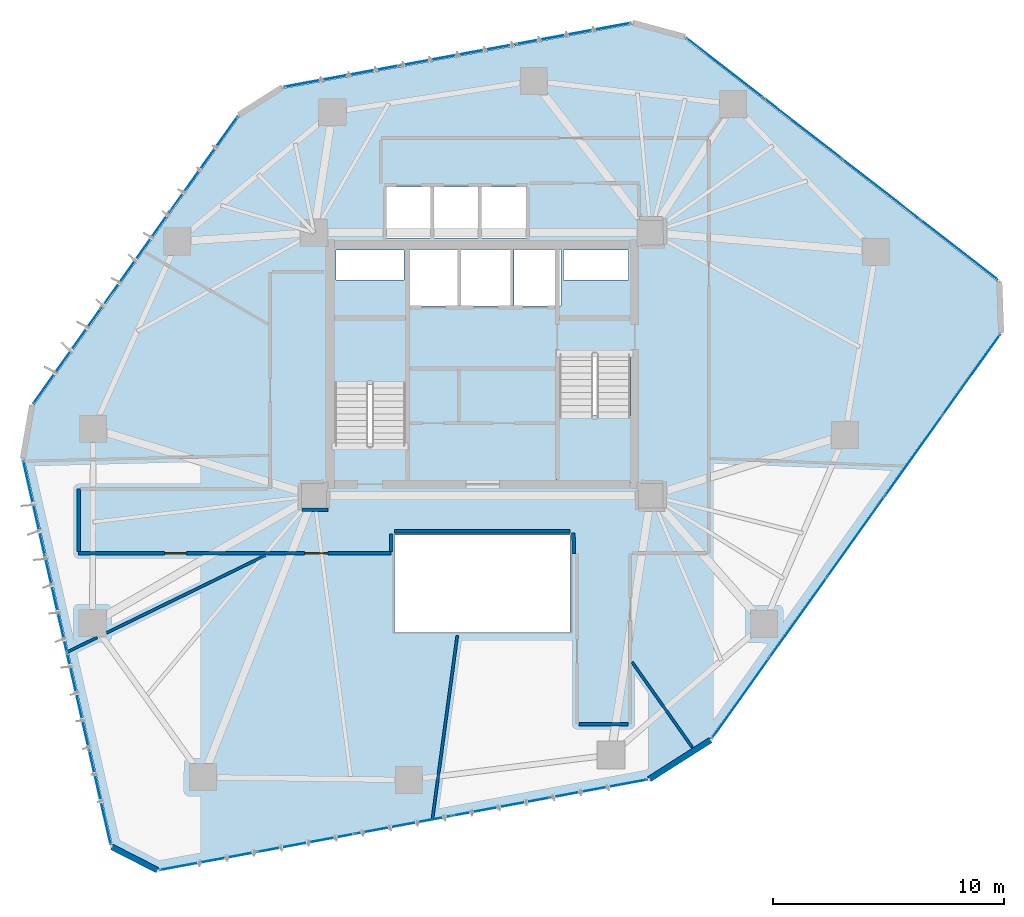
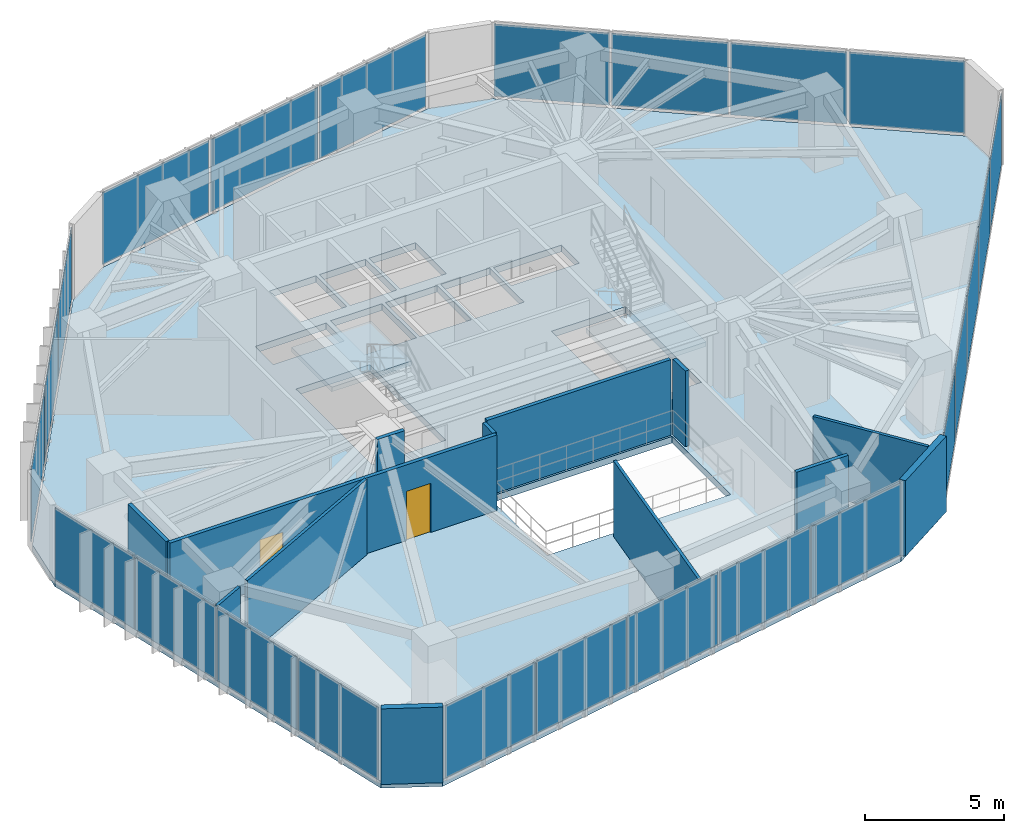
# One storey, part 16 of 22: 24 plates, 13 walls, 3 slabs, 2 doors, 2 openings, 8 elements without a shape of their own.
"""IFC4 building model written with IfcOpenShell, lengths in metres."""

from ifc_helpers import new_model, si_unit, direction, frame, frame_2d, origin, origin_2d, place, context, subcontext, project, spatial, polyline, rectangle, outline, extrude, source, transform, mapped, material, layer, layer_set, type_object, type_shapes, element, fill, aggregate, save


model = new_model("IFC4")

# Units and contexts
model_context = context("Model", 3, precision=1e-05, world=origin(), true_north=direction((0.0, 1.0)))
body_context = subcontext(model_context, "Body", "Model", "MODEL_VIEW")
ifc_project = project(units=[si_unit("LENGTHUNIT", "METRE"), si_unit("AREAUNIT", "SQUARE_METRE"), si_unit("VOLUMEUNIT", "CUBIC_METRE"), si_unit("PLANEANGLEUNIT", "RADIAN"), si_unit("MASSUNIT", "GRAM", prefix="KILO")], contexts=[model_context])

# Site, building, storey
site_placement = place(None, origin())
site = spatial("IfcSite", under=ifc_project, at=site_placement, CompositionType="ELEMENT")
building_placement = place(site_placement, origin())
building = spatial("IfcBuilding", under=site, at=building_placement, Name="Talar Marvaseh", CompositionType="ELEMENT")
storey_placement = place(building_placement, frame((0.0, 0.0, 121.800048828125)))
storey = spatial("IfcBuildingStorey", under=building, at=storey_placement, Name="L31", CompositionType="ELEMENT", Elevation=121.800048828125)

# Stair, slab
ifc_material_1 = material(Name="Concrete C40/50", Category="concrete")
stair_type = type_object("IfcStairType", Name="Reinforced Concrete Half-Turn Exit Stair Type B", PredefinedType="HALF_TURN_STAIR", material=ifc_material_1)
stair_1_placement = place(storey_placement, origin())
stair_1 = element("IfcStair", 1, at=stair_1_placement, inside=storey, type_object=stair_type, Name="L31 Tower West Core Exit Stair", PredefinedType="HALF_TURN_STAIR")
ifc_layer_1 = layer(ifc_material_1, 0.199951171875)
ifc_layer_set_1 = layer_set([ifc_layer_1], Name="Concrete C40/50")
slab_type_1 = type_object("IfcSlabType", Name="Reinforced Concrete Stair Half-Landing Slab 200", PredefinedType="LANDING", material=ifc_layer_set_1)
slab_1_placement = place(storey_placement, frame((0.0, 0.0, 1.599853515625)))
slab_1 = element("IfcSlab", 2, at=slab_1_placement, type_object=slab_type_1, Name="ST-1 landing 1", PredefinedType="LANDING", context=body_context, shape_type="SweptSolid", body=[
    extrude(outline(polyline([(22.780029296875, 30.330078125), (22.780029296875, 33.219970703125), (19.47998046875, 33.219970703125), (19.47998046875, 30.330078125), (22.780029296875, 30.330078125)])), origin(), (0.0, 0.0, 1.0), 0.2001953125),
])
aggregate(stair_1, [slab_1])

stair_2_placement = place(storey_placement, origin())
stair_2 = element("IfcStair", 3, at=stair_2_placement, inside=storey, type_object=stair_type, Name="L31 Tower East Core Exit Stair", PredefinedType="HALF_TURN_STAIR")
slab_2_placement = place(storey_placement, frame((0.0, 0.0, 1.599853515625)))
slab_2 = element("IfcSlab", 4, at=slab_2_placement, type_object=slab_type_1, Name="ST-2 landing 1", PredefinedType="LANDING", context=body_context, shape_type="SweptSolid", body=[
    extrude(outline(polyline([(29.219970703125, 28.969970703125), (29.219970703125, 26.080078125), (32.52001953125, 26.080078125), (32.52001953125, 28.969970703125), (29.219970703125, 28.969970703125)])), origin(), (0.0, 0.0, 1.0), 0.2001953125),
])
aggregate(stair_2, [slab_2])

# Slab
ifc_layer_2 = layer(ifc_material_1, 0.2900390625)
ifc_layer_set_2 = layer_set([ifc_layer_2], Name="Concrete C40/50")
slab_type_2 = type_object("IfcSlabType", Name="Structural Suspended Floor Slab 290", PredefinedType="FLOOR", material=ifc_layer_set_2)
slab_3_placement = place(storey_placement, frame((0.0, 0.0, -0.2900390625)))
element("IfcSlab", 5, at=slab_3_placement, inside=storey, type_object=slab_type_2, Name="L31 Tower Floor Slab", PredefinedType="FLOOR", context=body_context, shape_type="SweptSolid", body=[
    extrude(outline(polyline([(11.941650390625, 9.324462890625), (9.968017578125, 10.333251953125), (6.145751953125, 27.094482421875), (6.547119140625, 29.400634765625), (15.46923828125, 41.940673828125), (17.36279296875, 43.14697265625), (32.49853515625, 45.93359375), (34.75830078125, 45.32275390625), (48.333740234375, 34.77490234375), (48.4140625, 32.559814453125), (35.85791015625, 14.96240234375), (33.19677734375, 13.26708984375), (11.941650390625, 9.324462890625)]), holes=[polyline([(22.659912109375, 27.64990234375), (22.659912109375, 33.10009765625), (19.60009765625, 33.10009765625), (19.60009765625, 27.64990234375), (22.659912109375, 27.64990234375)]), polyline([(29.340087890625, 31.64990234375), (29.340087890625, 26.199951171875), (32.39990234375, 26.199951171875), (32.39990234375, 31.64990234375), (29.340087890625, 31.64990234375)]), polyline([(22.800048828125, 33.719970703125), (24.93994140625, 33.719970703125), (24.93994140625, 36.179931640625), (22.800048828125, 36.179931640625), (22.800048828125, 33.719970703125)]), polyline([(25.080078125, 33.719970703125), (27.219970703125, 33.719970703125), (27.219970703125, 36.179931640625), (25.080078125, 36.179931640625), (25.080078125, 33.719970703125)]), polyline([(27.360107421875, 33.719970703125), (29.39990234375, 33.719970703125), (29.39990234375, 36.179931640625), (27.360107421875, 36.179931640625), (27.360107421875, 33.719970703125)]), polyline([(21.840087890625, 36.659912109375), (23.760009765625, 36.659912109375), (23.760009765625, 38.8798828125), (21.840087890625, 38.8798828125), (21.840087890625, 36.659912109375)]), polyline([(23.89990234375, 36.659912109375), (25.820068359375, 36.659912109375), (25.820068359375, 38.8798828125), (23.89990234375, 38.8798828125), (23.89990234375, 36.659912109375)]), polyline([(25.9599609375, 36.659912109375), (27.8798828125, 36.659912109375), (27.8798828125, 38.8798828125), (25.9599609375, 38.8798828125), (25.9599609375, 36.659912109375)]), polyline([(19.659912109375, 34.840087890625), (22.60009765625, 34.840087890625), (22.60009765625, 36.139892578125), (19.659912109375, 36.139892578125), (19.659912109375, 34.840087890625)]), polyline([(29.52001953125, 34.840087890625), (32.340087890625, 34.840087890625), (32.340087890625, 36.139892578125), (29.52001953125, 36.139892578125), (29.52001953125, 34.840087890625)]), polyline([(22.199951171875, 19.60009765625), (29.800048828125, 19.60009765625), (29.800048828125, 23.800048828125), (22.199951171875, 23.800048828125), (22.199951171875, 19.60009765625)])]), origin(), (0.0, 0.0, 1.0), 0.2900390625),
])

# Curtain wall, plates
ifc_material_2 = material(Name="Architectural Aluminium", Category="aluminium")
ifc_layer_3 = layer(ifc_material_2, 0.199951171875)
ifc_layer_set_3 = layer_set([ifc_layer_3], Name="Architectural Aluminium")
curtain_wall_type = type_object("IfcCurtainWallType", Name="Unitised Acoustic Library Curtain Wall Z2", PredefinedType="NOTDEFINED", material=ifc_layer_set_3)
curtain_wall_1_placement = place(storey_placement, origin())
curtain_wall_1 = element("IfcCurtainWall", 6, at=curtain_wall_1_placement, inside=storey, type_object=curtain_wall_type, Name="L31 Unitised Acoustic Library Curtain Wall Z2", PredefinedType="NOTDEFINED")
ifc_material_3 = material(Name="Laminated Low-E Solar Glass", Category="glass")
ifc_layer_4 = layer(ifc_material_3, 0.028076171875)
ifc_layer_set_4 = layer_set([ifc_layer_4], Name="Laminated Low-E Solar Glass")
plate_type = type_object("IfcPlateType", Name="Double-Glazed Low-E Vision Curtain Panel 28", PredefinedType="CURTAIN_PANEL", material=ifc_layer_set_4)
shared_shape_1 = source(origin(), body_context, "Body", "SweptSolid", [
    extrude(rectangle(XDim=4.185302734375, YDim=0.028076171875, at=origin_2d()), origin(), (0.0, 0.0, 1.0), 3.159912109375),
])
plate_1_placement = place(storey_placement, frame((9.427490234375, 12.433349609375, 0.0751953125), z_axis=(0.0, 0.0, 1.0), x_axis=(-0.222335309848, 0.974970261082, 0.0)))
plate_1 = element("IfcPlate", 7, at=plate_1_placement, type_object=plate_type, Name="CW-Z2 panel 1.1", PredefinedType="CURTAIN_PANEL", context=body_context, shape_type="MappedRepresentation", body=[
    mapped(shared_shape_1, transform((0.0, 0.0, 0.0), x_axis=(1.0, 0.0, 0.0), y_axis=(0.0, 1.0, 0.0), z_axis=(0.0, 0.0, 1.0), scale=1.0)),
])
plate_2_placement = place(storey_placement, frame((6.569091796875, 24.9677734375, 0.0751953125), z_axis=(0.0, 0.0, 1.0), x_axis=(-0.222335309848, 0.974970261082, 0.0)))
plate_2 = element("IfcPlate", 8, at=plate_2_placement, type_object=plate_type, Name="CW-Z2 panel 4.1", PredefinedType="CURTAIN_PANEL", context=body_context, shape_type="MappedRepresentation", body=[
    mapped(shared_shape_1, transform((0.0, 0.0, 0.0), x_axis=(1.0, 0.0, 0.0), y_axis=(0.0, 1.0, 0.0), z_axis=(0.0, 0.0, 1.0), scale=1.0)),
])

curtain_wall_2_placement = place(storey_placement, origin())
curtain_wall_2 = element("IfcCurtainWall", 9, at=curtain_wall_2_placement, inside=storey, type_object=curtain_wall_type, Name="L31 Unitised Acoustic Library Curtain Wall Z2", PredefinedType="NOTDEFINED")
plate_3_placement = place(storey_placement, frame((36.5068359375, 44.040283203125, 0.0751953125), z_axis=(0.0, 0.0, 1.0), x_axis=(0.789660005943, -0.613544680537, 0.0)))
plate_3 = element("IfcPlate", 10, at=plate_3_placement, type_object=plate_type, Name="CW-Z2 panel 1.1", PredefinedType="CURTAIN_PANEL", context=body_context, shape_type="MappedRepresentation", body=[
    mapped(shared_shape_1, transform((0.0, 0.0, 0.0), x_axis=(1.0, 0.0, 0.0), y_axis=(0.0, 1.0, 0.0), z_axis=(0.0, 0.0, 1.0), scale=1.0)),
])
plate_4_placement = place(storey_placement, frame((46.65869140625, 36.15234375, 0.0751953125), z_axis=(0.0, 0.0, 1.0), x_axis=(0.789660005943, -0.613544680537, 0.0)))
plate_4 = element("IfcPlate", 11, at=plate_4_placement, type_object=plate_type, Name="CW-Z2 panel 4.1", PredefinedType="CURTAIN_PANEL", context=body_context, shape_type="MappedRepresentation", body=[
    mapped(shared_shape_1, transform((0.0, 0.0, 0.0), x_axis=(1.0, 0.0, 0.0), y_axis=(0.0, 1.0, 0.0), z_axis=(0.0, 0.0, 1.0), scale=1.0)),
])

# Plate
shared_shape_2 = source(origin(), body_context, "Body", "SweptSolid", [
    extrude(rectangle(XDim=4.222900390625, YDim=0.028076171875, at=origin_2d()), origin(), (0.0, 0.0, 1.0), 3.159912109375),
])
plate_5_placement = place(storey_placement, frame((8.47607421875, 16.60546875, 0.0751953125), z_axis=(0.0, 0.0, 1.0), x_axis=(-0.222335309848, 0.974970261082, 0.0)))
plate_5 = element("IfcPlate", 12, at=plate_5_placement, type_object=plate_type, Name="CW-Z2 panel 2.1", PredefinedType="CURTAIN_PANEL", context=body_context, shape_type="MappedRepresentation", body=[
    mapped(shared_shape_2, transform((0.0, 0.0, 0.0), x_axis=(1.0, 0.0, 0.0), y_axis=(0.0, 1.0, 0.0), z_axis=(0.0, 0.0, 1.0), scale=1.0)),
])

plate_6_placement = place(storey_placement, frame((7.5205078125, 20.7958984375, 0.0751953125), z_axis=(0.0, 0.0, 1.0), x_axis=(-0.222335309848, 0.974970261082, 0.0)))
plate_6 = element("IfcPlate", 13, at=plate_6_placement, type_object=plate_type, Name="CW-Z2 panel 3.1", PredefinedType="CURTAIN_PANEL", context=body_context, shape_type="MappedRepresentation", body=[
    mapped(shared_shape_2, transform((0.0, 0.0, 0.0), x_axis=(1.0, 0.0, 0.0), y_axis=(0.0, 1.0, 0.0), z_axis=(0.0, 0.0, 1.0), scale=1.0)),
])

aggregate(curtain_wall_1, [plate_1, plate_5, plate_6, plate_2])

plate_7_placement = place(storey_placement, frame((39.8857421875, 41.414794921875, 0.0751953125), z_axis=(0.0, 0.0, 1.0), x_axis=(0.789660005943, -0.613544680537, 0.0)))
plate_7 = element("IfcPlate", 14, at=plate_7_placement, type_object=plate_type, Name="CW-Z2 panel 2.1", PredefinedType="CURTAIN_PANEL", context=body_context, shape_type="MappedRepresentation", body=[
    mapped(shared_shape_2, transform((0.0, 0.0, 0.0), x_axis=(1.0, 0.0, 0.0), y_axis=(0.0, 1.0, 0.0), z_axis=(0.0, 0.0, 1.0), scale=1.0)),
])

plate_8_placement = place(storey_placement, frame((43.27978515625, 38.77783203125, 0.0751953125), z_axis=(0.0, 0.0, 1.0), x_axis=(0.789660005943, -0.613544680537, 0.0)))
plate_8 = element("IfcPlate", 15, at=plate_8_placement, type_object=plate_type, Name="CW-Z2 panel 3.1", PredefinedType="CURTAIN_PANEL", context=body_context, shape_type="MappedRepresentation", body=[
    mapped(shared_shape_2, transform((0.0, 0.0, 0.0), x_axis=(1.0, 0.0, 0.0), y_axis=(0.0, 1.0, 0.0), z_axis=(0.0, 0.0, 1.0), scale=1.0)),
])

aggregate(curtain_wall_2, [plate_3, plate_7, plate_8, plate_4])

# Curtain wall, plates
curtain_wall_3_placement = place(storey_placement, origin())
curtain_wall_3 = element("IfcCurtainWall", 16, at=curtain_wall_3_placement, inside=storey, type_object=curtain_wall_type, Name="L31 Unitised Acoustic Library Curtain Wall Z2", PredefinedType="NOTDEFINED")
shared_shape_3 = source(origin(), body_context, "Body", "SweptSolid", [
    extrude(rectangle(XDim=5.017578125, YDim=0.028076171875, at=origin_2d()), origin(), (0.0, 0.0, 1.0), 3.159912109375),
])
plate_9_placement = place(storey_placement, frame((7.99609375, 31.540771484375, 0.0751953125), z_axis=(0.0, 0.0, 1.0), x_axis=(0.579736854112, 0.814803767778, 0.0)))
plate_9 = element("IfcPlate", 17, at=plate_9_placement, type_object=plate_type, Name="CW-Z2 panel 1.1", PredefinedType="CURTAIN_PANEL", context=body_context, shape_type="MappedRepresentation", body=[
    mapped(shared_shape_3, transform((0.0, 0.0, 0.0), x_axis=(1.0, 0.0, 0.0), y_axis=(0.0, 1.0, 0.0), z_axis=(0.0, 0.0, 1.0), scale=1.0)),
])
plate_10_placement = place(storey_placement, frame((13.922607421875, 39.8701171875, 0.0751953125), z_axis=(0.0, 0.0, 1.0), x_axis=(0.579736854112, 0.814803767778, 0.0)))
plate_10 = element("IfcPlate", 18, at=plate_10_placement, type_object=plate_type, Name="CW-Z2 panel 3.1", PredefinedType="CURTAIN_PANEL", context=body_context, shape_type="MappedRepresentation", body=[
    mapped(shared_shape_3, transform((0.0, 0.0, 0.0), x_axis=(1.0, 0.0, 0.0), y_axis=(0.0, 1.0, 0.0), z_axis=(0.0, 0.0, 1.0), scale=1.0)),
])

curtain_wall_4_placement = place(storey_placement, origin())
curtain_wall_4 = element("IfcCurtainWall", 19, at=curtain_wall_4_placement, inside=storey, type_object=curtain_wall_type, Name="L31 Unitised Acoustic Library Curtain Wall Z2", PredefinedType="NOTDEFINED")
plate_11_placement = place(storey_placement, frame((19.89306640625, 43.673828125, 0.0751953125), z_axis=(0.0, 0.0, 1.0), x_axis=(0.983470031313, 0.181070973681, 0.0)))
plate_11 = element("IfcPlate", 20, at=plate_11_placement, type_object=plate_type, Name="CW-Z2 panel 1.1", PredefinedType="CURTAIN_PANEL", context=body_context, shape_type="MappedRepresentation", body=[
    mapped(shared_shape_3, transform((0.0, 0.0, 0.0), x_axis=(1.0, 0.0, 0.0), y_axis=(0.0, 1.0, 0.0), z_axis=(0.0, 0.0, 1.0), scale=1.0)),
])
plate_12_placement = place(storey_placement, frame((29.946533203125, 45.524658203125, 0.0751953125), z_axis=(0.0, 0.0, 1.0), x_axis=(0.983470031313, 0.181070973681, 0.0)))
plate_12 = element("IfcPlate", 21, at=plate_12_placement, type_object=plate_type, Name="CW-Z2 panel 3.1", PredefinedType="CURTAIN_PANEL", context=body_context, shape_type="MappedRepresentation", body=[
    mapped(shared_shape_3, transform((0.0, 0.0, 0.0), x_axis=(1.0, 0.0, 0.0), y_axis=(0.0, 1.0, 0.0), z_axis=(0.0, 0.0, 1.0), scale=1.0)),
])

# Plate
shared_shape_4 = source(origin(), body_context, "Body", "SweptSolid", [
    extrude(rectangle(XDim=5.054931640625, YDim=0.028076171875, at=origin_2d()), origin(), (0.0, 0.0, 1.0), 3.159912109375),
])
plate_13_placement = place(storey_placement, frame((10.959228515625, 35.70556640625, 0.0751953125), z_axis=(0.0, 0.0, 1.0), x_axis=(0.579736854112, 0.814803767778, 0.0)))
plate_13 = element("IfcPlate", 22, at=plate_13_placement, type_object=plate_type, Name="CW-Z2 panel 2.1", PredefinedType="CURTAIN_PANEL", context=body_context, shape_type="MappedRepresentation", body=[
    mapped(shared_shape_4, transform((0.0, 0.0, 0.0), x_axis=(1.0, 0.0, 0.0), y_axis=(0.0, 1.0, 0.0), z_axis=(0.0, 0.0, 1.0), scale=1.0)),
])

aggregate(curtain_wall_3, [plate_9, plate_13, plate_10])

plate_14_placement = place(storey_placement, frame((24.919677734375, 44.599365234375, 0.0751953125), z_axis=(0.0, 0.0, 1.0), x_axis=(0.983470031313, 0.181070973681, 0.0)))
plate_14 = element("IfcPlate", 23, at=plate_14_placement, type_object=plate_type, Name="CW-Z2 panel 2.1", PredefinedType="CURTAIN_PANEL", context=body_context, shape_type="MappedRepresentation", body=[
    mapped(shared_shape_4, transform((0.0, 0.0, 0.0), x_axis=(1.0, 0.0, 0.0), y_axis=(0.0, 1.0, 0.0), z_axis=(0.0, 0.0, 1.0), scale=1.0)),
])

aggregate(curtain_wall_4, [plate_11, plate_14, plate_12])

# Curtain wall, plates
curtain_wall_5_placement = place(storey_placement, origin())
curtain_wall_5 = element("IfcCurtainWall", 24, at=curtain_wall_5_placement, inside=storey, type_object=curtain_wall_type, Name="L31 Unitised Acoustic Library Curtain Wall Z2", PredefinedType="NOTDEFINED")
shared_shape_5 = source(origin(), body_context, "Body", "SweptSolid", [
    extrude(rectangle(XDim=4.2109375, YDim=0.028076171875, at=origin_2d()), origin(), (0.0, 0.0, 1.0), 3.159912109375),
])
plate_15_placement = place(storey_placement, frame((47.1962890625, 30.75, 0.0751953125), z_axis=(0.0, 0.0, 1.0), x_axis=(-0.580828546551, -0.814025920663, 0.0)))
plate_15 = element("IfcPlate", 25, at=plate_15_placement, type_object=plate_type, Name="CW-Z2 panel 1.1", PredefinedType="CURTAIN_PANEL", context=body_context, shape_type="MappedRepresentation", body=[
    mapped(shared_shape_5, transform((0.0, 0.0, 0.0), x_axis=(1.0, 0.0, 0.0), y_axis=(0.0, 1.0, 0.0), z_axis=(0.0, 0.0, 1.0), scale=1.0)),
])
plate_16_placement = place(storey_placement, frame((37.173095703125, 16.70263671875, 0.0751953125), z_axis=(0.0, 0.0, 1.0), x_axis=(-0.580828546551, -0.814025920663, 0.0)))
plate_16 = element("IfcPlate", 26, at=plate_16_placement, type_object=plate_type, Name="CW-Z2 panel 5.1", PredefinedType="CURTAIN_PANEL", context=body_context, shape_type="MappedRepresentation", body=[
    mapped(shared_shape_5, transform((0.0, 0.0, 0.0), x_axis=(1.0, 0.0, 0.0), y_axis=(0.0, 1.0, 0.0), z_axis=(0.0, 0.0, 1.0), scale=1.0)),
])

curtain_wall_6_placement = place(storey_placement, origin())
curtain_wall_6 = element("IfcCurtainWall", 27, at=curtain_wall_6_placement, inside=storey, type_object=curtain_wall_type, Name="L31 Unitised Acoustic Library Curtain Wall Z2", PredefinedType="NOTDEFINED")
plate_17_placement = place(storey_placement, frame((31.063720703125, 12.810546875, 0.0751953125), z_axis=(0.0, 0.0, 1.0), x_axis=(-0.983226559586, -0.18238841116, 0.0)))
plate_17 = element("IfcPlate", 28, at=plate_17_placement, type_object=plate_type, Name="CW-Z2 panel 1.1", PredefinedType="CURTAIN_PANEL", context=body_context, shape_type="MappedRepresentation", body=[
    mapped(shared_shape_5, transform((0.0, 0.0, 0.0), x_axis=(1.0, 0.0, 0.0), y_axis=(0.0, 1.0, 0.0), z_axis=(0.0, 0.0, 1.0), scale=1.0)),
])
plate_18_placement = place(storey_placement, frame((14.096435546875, 9.6630859375, 0.0751953125), z_axis=(0.0, 0.0, 1.0), x_axis=(-0.983226559586, -0.18238841116, 0.0)))
plate_18 = element("IfcPlate", 29, at=plate_18_placement, type_object=plate_type, Name="CW-Z2 panel 5.1", PredefinedType="CURTAIN_PANEL", context=body_context, shape_type="MappedRepresentation", body=[
    mapped(shared_shape_5, transform((0.0, 0.0, 0.0), x_axis=(1.0, 0.0, 0.0), y_axis=(0.0, 1.0, 0.0), z_axis=(0.0, 0.0, 1.0), scale=1.0)),
])

# Plate
shared_shape_6 = source(origin(), body_context, "Body", "SweptSolid", [
    extrude(rectangle(XDim=4.24853515625, YDim=0.028076171875, at=origin_2d()), origin(), (0.0, 0.0, 1.0), 3.159912109375),
])
type_shapes(plate_type, [shared_shape_1, shared_shape_2, shared_shape_3, shared_shape_4, shared_shape_5, shared_shape_6])
plate_19_placement = place(storey_placement, frame((44.696044921875, 27.245849609375, 0.0751953125), z_axis=(0.0, 0.0, 1.0), x_axis=(-0.580828546551, -0.814025920663, 0.0)))
plate_19 = element("IfcPlate", 30, at=plate_19_placement, type_object=plate_type, Name="CW-Z2 panel 2.1", PredefinedType="CURTAIN_PANEL", context=body_context, shape_type="MappedRepresentation", body=[
    mapped(shared_shape_6, transform((0.0, 0.0, 0.0), x_axis=(1.0, 0.0, 0.0), y_axis=(0.0, 1.0, 0.0), z_axis=(0.0, 0.0, 1.0), scale=1.0)),
])

plate_20_placement = place(storey_placement, frame((42.184814453125, 23.726318359375, 0.0751953125), z_axis=(0.0, 0.0, 1.0), x_axis=(-0.580828546551, -0.814025920663, 0.0)))
plate_20 = element("IfcPlate", 31, at=plate_20_placement, type_object=plate_type, Name="CW-Z2 panel 3.1", PredefinedType="CURTAIN_PANEL", context=body_context, shape_type="MappedRepresentation", body=[
    mapped(shared_shape_6, transform((0.0, 0.0, 0.0), x_axis=(1.0, 0.0, 0.0), y_axis=(0.0, 1.0, 0.0), z_axis=(0.0, 0.0, 1.0), scale=1.0)),
])

plate_21_placement = place(storey_placement, frame((39.67333984375, 20.20703125, 0.0751953125), z_axis=(0.0, 0.0, 1.0), x_axis=(-0.580828546551, -0.814025920663, 0.0)))
plate_21 = element("IfcPlate", 32, at=plate_21_placement, type_object=plate_type, Name="CW-Z2 panel 4.1", PredefinedType="CURTAIN_PANEL", context=body_context, shape_type="MappedRepresentation", body=[
    mapped(shared_shape_6, transform((0.0, 0.0, 0.0), x_axis=(1.0, 0.0, 0.0), y_axis=(0.0, 1.0, 0.0), z_axis=(0.0, 0.0, 1.0), scale=1.0)),
])

aggregate(curtain_wall_5, [plate_15, plate_19, plate_20, plate_21, plate_16])

plate_22_placement = place(storey_placement, frame((26.8310546875, 12.025390625, 0.0751953125), z_axis=(0.0, 0.0, 1.0), x_axis=(-0.983226559586, -0.18238841116, 0.0)))
plate_22 = element("IfcPlate", 33, at=plate_22_placement, type_object=plate_type, Name="CW-Z2 panel 2.1", PredefinedType="CURTAIN_PANEL", context=body_context, shape_type="MappedRepresentation", body=[
    mapped(shared_shape_6, transform((0.0, 0.0, 0.0), x_axis=(1.0, 0.0, 0.0), y_axis=(0.0, 1.0, 0.0), z_axis=(0.0, 0.0, 1.0), scale=1.0)),
])

plate_23_placement = place(storey_placement, frame((22.580078125, 11.23681640625, 0.0751953125), z_axis=(0.0, 0.0, 1.0), x_axis=(-0.983226559586, -0.18238841116, 0.0)))
plate_23 = element("IfcPlate", 34, at=plate_23_placement, type_object=plate_type, Name="CW-Z2 panel 3.1", PredefinedType="CURTAIN_PANEL", context=body_context, shape_type="MappedRepresentation", body=[
    mapped(shared_shape_6, transform((0.0, 0.0, 0.0), x_axis=(1.0, 0.0, 0.0), y_axis=(0.0, 1.0, 0.0), z_axis=(0.0, 0.0, 1.0), scale=1.0)),
])

plate_24_placement = place(storey_placement, frame((18.3291015625, 10.4482421875, 0.0751953125), z_axis=(0.0, 0.0, 1.0), x_axis=(-0.983226559586, -0.18238841116, 0.0)))
plate_24 = element("IfcPlate", 35, at=plate_24_placement, type_object=plate_type, Name="CW-Z2 panel 4.1", PredefinedType="CURTAIN_PANEL", context=body_context, shape_type="MappedRepresentation", body=[
    mapped(shared_shape_6, transform((0.0, 0.0, 0.0), x_axis=(1.0, 0.0, 0.0), y_axis=(0.0, 1.0, 0.0), z_axis=(0.0, 0.0, 1.0), scale=1.0)),
])

aggregate(curtain_wall_6, [plate_17, plate_22, plate_23, plate_24, plate_18])

# Walls
ifc_material_4 = material(Name="Precast concrete C45/55", Category="concrete")
ifc_layer_5 = layer(ifc_material_4, 0.2548828125)
ifc_layer_set_5 = layer_set([ifc_layer_5], Name="Precast concrete C45/55")
wall_type_1 = type_object("IfcWallType", Name="Chamfered Hexagonal Corner Pier Wall Z2 255", PredefinedType="SOLIDWALL", material=ifc_layer_set_5)
wall_1_placement = place(storey_placement, frame((11.914306640625, 9.27099609375, 0.0), z_axis=(0.0, 0.0, 1.0), x_axis=(-0.890426746661, 0.455126585502, 0.0)))
element("IfcWall", 36, at=wall_1_placement, inside=storey, type_object=wall_type_1, Name="L31 Chamfered Corner Limestone Pier 1", PredefinedType="SOLIDWALL", context=body_context, shape_type="SweptSolid", body=[
    extrude(rectangle(XDim=2.216552734375, YDim=0.2548828125, at=frame_2d((1.1083984375, 0.0))), origin(), (0.0, 0.0, 1.0), 3.31005859375),
])
wall_2_placement = place(storey_placement, frame((35.889892578125, 14.911865234375, 0.0), z_axis=(0.0, 0.0, 1.0), x_axis=(-0.843371414947, -0.537331049215, 0.0)))
element("IfcWall", 37, at=wall_2_placement, inside=storey, type_object=wall_type_1, Name="L31 Chamfered Corner Limestone Pier 6", PredefinedType="SOLIDWALL", context=body_context, shape_type="SweptSolid", body=[
    extrude(rectangle(XDim=3.155029296875, YDim=0.2548828125, at=frame_2d((1.57763671875, 0.0))), origin(), (0.0, 0.0, 1.0), 3.31005859375),
])

# Wall, openings, doors
ifc_material_5 = material(Name="Gypsum Board Partition Assembly")
ifc_layer_6 = layer(ifc_material_5, 0.155029296875)
ifc_layer_set_6 = layer_set([ifc_layer_6], Name="Gypsum Board Partition Assembly")
wall_type_2 = type_object("IfcWallType", Name="Corridor Fire-Rated Acoustic Partition 155", PredefinedType="PARTITIONING", material=ifc_layer_set_6)
wall_3_placement = place(storey_placement, frame((22.0400390625, 23.0, 0.0), z_axis=(0.0, 0.0, 1.0), x_axis=(-1.0, 0.0, 0.0)))
wall_3 = element("IfcWall", 38, at=wall_3_placement, inside=storey, type_object=wall_type_2, Name="L31 Interior Partition Wall", PredefinedType="PARTITIONING", context=body_context, shape_type="SweptSolid", body=[
    extrude(rectangle(XDim=13.5400390625, YDim=0.155029296875, at=frame_2d((6.77001953125, 0.0))), origin(), (0.0, 0.0, 1.0), 3.31005859375),
])
opening_1_placement = place(wall_3_placement, frame((8.858154296875, 0.0, 0.0)))
opening_1 = element("IfcOpeningElement", 39, at=opening_1_placement, cuts=wall_3, Name="Opening DR-WC095", PredefinedType="OPENING", context=body_context, shape_type="SweptSolid", body=[
    extrude(rectangle(XDim=0.949951171875, YDim=2.14990234375, at=frame_2d((0.47509765625, 1.074951171875))), frame((0.0, 0.08740234375, 0.0), z_axis=(0.0, -1.0, 0.0), x_axis=(1.0, 0.0, 0.0)), (0.0, 0.0, 1.0), 0.175048828125),
])
opening_2_placement = place(wall_3_placement, frame((2.73974609375, 0.0, 0.0)))
opening_2 = element("IfcOpeningElement", 40, at=opening_2_placement, cuts=wall_3, Name="Opening DR-RM100", PredefinedType="OPENING", context=body_context, shape_type="SweptSolid", body=[
    extrude(rectangle(XDim=1.0, YDim=2.14990234375, at=frame_2d((0.5, 1.074951171875))), frame((0.0, 0.08740234375, 0.0), z_axis=(0.0, -1.0, 0.0), x_axis=(1.0, 0.0, 0.0)), (0.0, 0.0, 1.0), 0.175048828125),
])
ifc_material_6 = material(Name="Acoustic Engineered Oak Timber", Category="wood")
door_type_1 = type_object("IfcDoorType", Name="Washroom and Service Room Door 950x2150", OperationType="NOTDEFINED", PredefinedType="DOOR", material=ifc_material_6)
shared_shape_7 = source(origin(), body_context, "Body", "SweptSolid", [
    extrude(rectangle(XDim=0.949951171875, YDim=2.14990234375, at=frame_2d((0.47509765625, 1.074951171875))), frame((0.0, 0.02490234375, 0.0), z_axis=(0.0, -1.0, 0.0), x_axis=(1.0, 0.0, 0.0)), (0.0, 0.0, 1.0), 0.050048828125),
])
type_shapes(door_type_1, [shared_shape_7])
door_1_placement = place(opening_1_placement, origin())
door_1 = element("IfcDoor", 41, at=door_1_placement, inside=storey, type_object=door_type_1, Name="L31 Accessible WC Block Door", OperationType="SINGLE_SWING_RIGHT", OverallHeight=2.14990234375, OverallWidth=0.949951171875, PredefinedType="DOOR", context=body_context, shape_type="MappedRepresentation", body=[
    mapped(shared_shape_7, transform((0.0, 0.0, 0.0), x_axis=(1.0, 0.0, 0.0), y_axis=(0.0, 1.0, 0.0), z_axis=(0.0, 0.0, 1.0), scale=1.0)),
])
fill(opening_1, door_1)
door_type_2 = type_object("IfcDoorType", Name="Corridor Fire-Rated Gallery Door 1000x2150", OperationType="NOTDEFINED", PredefinedType="DOOR", material=ifc_material_6)
shared_shape_8 = source(origin(), body_context, "Body", "SweptSolid", [
    extrude(rectangle(XDim=1.0, YDim=2.14990234375, at=frame_2d((0.5, 1.074951171875))), frame((0.0, 0.02490234375, 0.0), z_axis=(0.0, -1.0, 0.0), x_axis=(1.0, 0.0, 0.0)), (0.0, 0.0, 1.0), 0.050048828125),
])
type_shapes(door_type_2, [shared_shape_8])
door_2_placement = place(opening_2_placement, origin())
door_2 = element("IfcDoor", 42, at=door_2_placement, inside=storey, type_object=door_type_2, Name="L31 Curatorial Office Door", OperationType="SINGLE_SWING_LEFT", OverallHeight=2.14990234375, OverallWidth=1.0, PredefinedType="DOOR", context=body_context, shape_type="MappedRepresentation", body=[
    mapped(shared_shape_8, transform((0.0, 0.0, 0.0), x_axis=(1.0, 0.0, 0.0), y_axis=(0.0, 1.0, 0.0), z_axis=(0.0, 0.0, 1.0), scale=1.0)),
])
fill(opening_2, door_2)

# Walls
wall_4_placement = place(storey_placement, frame((29.800048828125, 23.9599609375, 0.0), z_axis=(0.0, 0.0, 1.0), x_axis=(-0.999999995375, -9.617234e-05, 0.0)))
element("IfcWall", 43, at=wall_4_placement, inside=storey, type_object=wall_type_2, Name="L31 Interior Partition Wall", PredefinedType="PARTITIONING", context=body_context, shape_type="SweptSolid", body=[
    extrude(rectangle(XDim=7.61572265625, YDim=0.155029296875, at=frame_2d((3.807861328125, 0.0))), origin(), (0.0, 0.0, 1.0), 3.31005859375),
])
wall_5_placement = place(storey_placement, frame((22.043212890625, 23.831298828125, 0.0), z_axis=(0.0, 0.0, 1.0), x_axis=(-0.003917697652, -0.999992325793, 0.0)))
element("IfcWall", 44, at=wall_5_placement, inside=storey, type_object=wall_type_2, Name="L31 Interior Partition Wall", PredefinedType="PARTITIONING", context=body_context, shape_type="SweptSolid", body=[
    extrude(rectangle(XDim=0.747802734375, YDim=0.155029296875, at=frame_2d((0.3740234375, 0.0))), origin(), (0.0, 0.0, 1.0), 3.31005859375),
])
wall_6_placement = place(storey_placement, frame((8.5, 23.08349609375, 0.0), z_axis=(0.0, 0.0, 1.0), x_axis=(0.0, 1.0, 0.0)))
element("IfcWall", 45, at=wall_6_placement, inside=storey, type_object=wall_type_2, Name="L31 Interior Partition Wall", PredefinedType="PARTITIONING", context=body_context, shape_type="SweptSolid", body=[
    extrude(rectangle(XDim=2.716552734375, YDim=0.155029296875, at=frame_2d((1.3583984375, 0.0))), origin(), (0.0, 0.0, 1.0), 3.31005859375),
])
wall_7_placement = place(storey_placement, frame((18.17529296875, 24.8876953125, 0.0), z_axis=(0.0, 0.0, 1.0), x_axis=(0.999999791525, 0.000645716611, 0.0)))
element("IfcWall", 46, at=wall_7_placement, inside=storey, type_object=wall_type_2, Name="L31 Interior Partition Wall", PredefinedType="PARTITIONING", context=body_context, shape_type="SweptSolid", body=[
    extrude(rectangle(XDim=1.13427734375, YDim=0.155029296875, at=frame_2d((0.567138671875, 0.0))), origin(), (0.0, 0.0, 1.0), 3.31005859375),
])
wall_8_placement = place(storey_placement, frame((32.31640625, 15.60009765625, 0.0), z_axis=(0.0, 0.0, 1.0), x_axis=(-1.0, 0.0, 0.0)))
element("IfcWall", 47, at=wall_8_placement, inside=storey, type_object=wall_type_2, Name="L31 Interior Partition Wall", PredefinedType="PARTITIONING", context=body_context, shape_type="SweptSolid", body=[
    extrude(rectangle(XDim=2.1328125, YDim=0.155029296875, at=frame_2d((1.06640625, 0.0))), origin(), (0.0, 0.0, 1.0), 3.31005859375),
])
wall_9_placement = place(storey_placement, frame((29.9599609375, 23.0, 0.0), z_axis=(0.0, 0.0, 1.0), x_axis=(-0.021467444279, 0.999769547864, 0.0)))
element("IfcWall", 48, at=wall_9_placement, inside=storey, type_object=wall_type_2, Name="L31 Interior Partition Wall", PredefinedType="PARTITIONING", context=body_context, shape_type="SweptSolid", body=[
    extrude(rectangle(XDim=0.875732421875, YDim=0.155029296875, at=frame_2d((0.43798828125, 0.0))), origin(), (0.0, 0.0, 1.0), 3.31005859375),
])
ifc_layer_7 = layer(ifc_material_5, 0.1201171875)
ifc_layer_set_7 = layer_set([ifc_layer_7], Name="Gypsum Board Partition Assembly")
wall_type_3 = type_object("IfcWallType", Name="Demountable Studio Room Partition 120", PredefinedType="PARTITIONING", material=ifc_layer_set_7)
wall_10_placement = place(storey_placement, frame((16.598876953125, 22.91650390625, 0.0), z_axis=(0.0, 0.0, 1.0), x_axis=(-0.898723071103, -0.438516637618, 0.0)))
element("IfcWall", 49, at=wall_10_placement, inside=storey, type_object=wall_type_3, Name="L31 Interior Partition Wall", PredefinedType="PARTITIONING", context=body_context, shape_type="SweptSolid", body=[
    extrude(rectangle(XDim=7.654052734375, YDim=0.1201171875, at=frame_2d((3.8271484375, 0.0))), origin(), (0.0, 0.0, 1.0), 3.31005859375),
])
wall_11_placement = place(storey_placement, frame((9.31005859375, 19.360107421875, 0.0), z_axis=(0.0, 0.0, 1.0), x_axis=(-0.899128604336, -0.437684535784, 0.0)))
element("IfcWall", 50, at=wall_11_placement, inside=storey, type_object=wall_type_3, Name="L31 Interior Partition Wall", PredefinedType="PARTITIONING", context=body_context, shape_type="SweptSolid", body=[
    extrude(rectangle(XDim=1.4384765625, YDim=0.1201171875, at=frame_2d((0.71923828125, 0.0))), origin(), (0.0, 0.0, 1.0), 3.31005859375),
])
wall_12_placement = place(storey_placement, frame((24.909912109375, 19.43994140625, 0.0), z_axis=(0.0, 0.0, 1.0), x_axis=(-0.134085982711, -0.990969701474, 0.0)))
element("IfcWall", 51, at=wall_12_placement, inside=storey, type_object=wall_type_3, Name="L31 Interior Partition Wall", PredefinedType="PARTITIONING", context=body_context, shape_type="SweptSolid", body=[
    extrude(rectangle(XDim=8.018798828125, YDim=0.1201171875, at=frame_2d((4.00927734375, 0.0))), origin(), (0.0, 0.0, 1.0), 3.31005859375),
])
wall_13_placement = place(storey_placement, frame((32.4833984375, 18.291748046875, 0.0), z_axis=(0.0, 0.0, 1.0), x_axis=(0.576941677369, -0.816785345678, 0.0)))
element("IfcWall", 52, at=wall_13_placement, inside=storey, type_object=wall_type_3, Name="L31 Interior Partition Wall", PredefinedType="PARTITIONING", context=body_context, shape_type="SweptSolid", body=[
    extrude(rectangle(XDim=4.523681640625, YDim=0.1201171875, at=frame_2d((2.26171875, 0.0))), origin(), (0.0, 0.0, 1.0), 3.31005859375),
])

save(model, "model.ifc")
